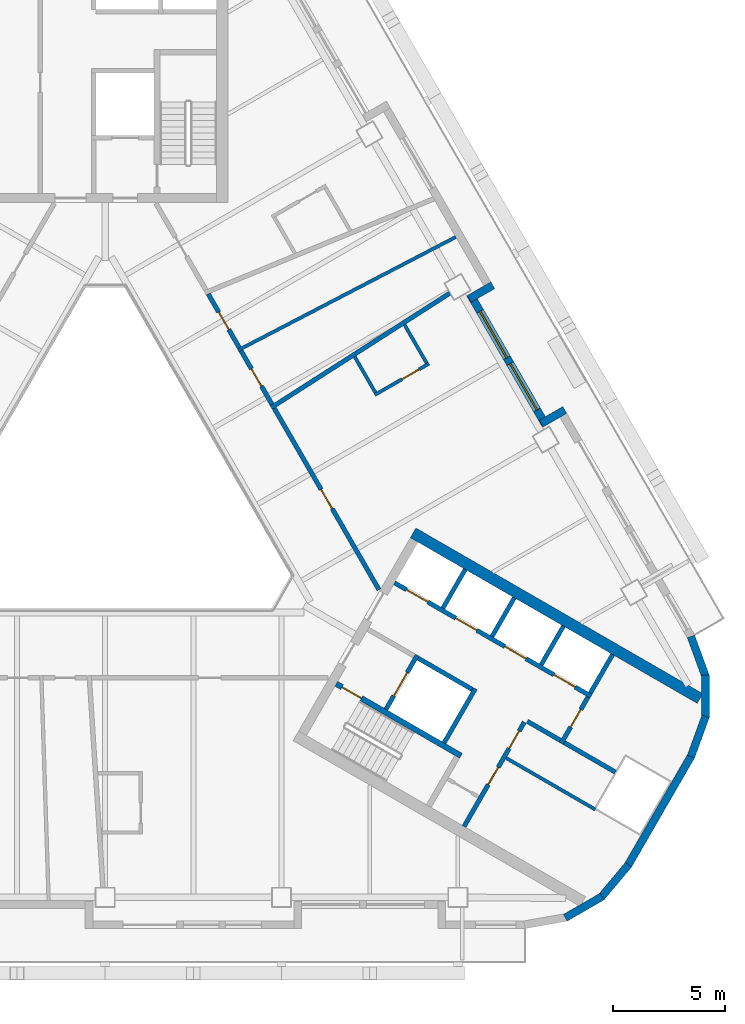
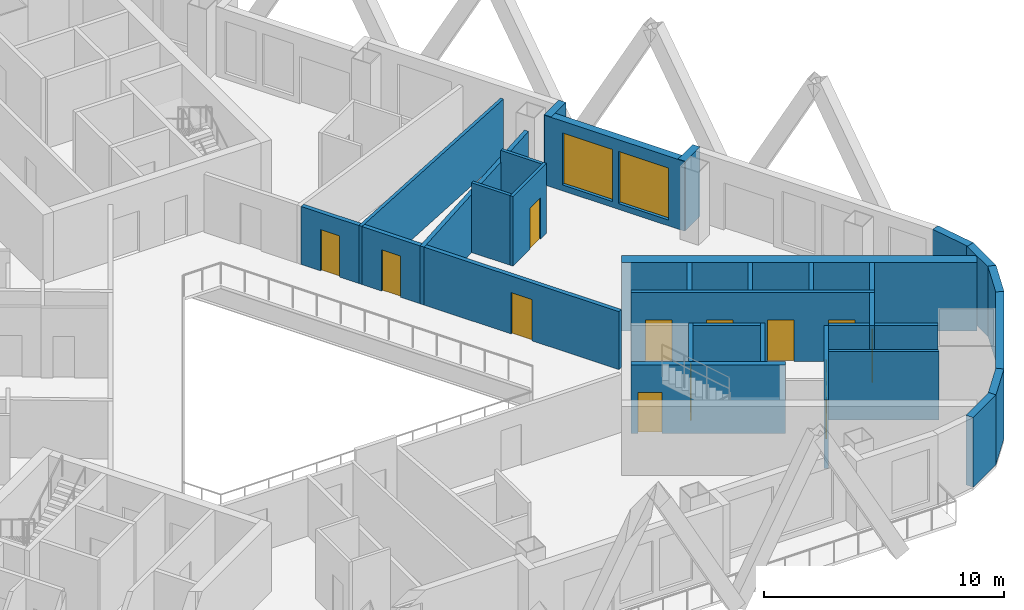
# One storey, part 5 of 13: 32 walls, 13 doors, 2 windows, 15 openings.
"""IFC4 building model written with IfcOpenShell, lengths in metres."""

from ifc_helpers import new_model, si_unit, direction, frame, frame_2d, origin, place, context, subcontext, project, spatial, rectangle, extrude, material, layer, layer_set, type_object, element, fill, save


model = new_model("IFC4")

# Units and contexts
model_context = context("Model", 3, precision=1e-05, world=origin(), true_north=direction((0.0, 1.0)))
body_context = subcontext(model_context, "Body", "Model", "MODEL_VIEW")
ifc_project = project(units=[si_unit("LENGTHUNIT", "METRE"), si_unit("AREAUNIT", "SQUARE_METRE"), si_unit("VOLUMEUNIT", "CUBIC_METRE"), si_unit("PLANEANGLEUNIT", "RADIAN"), si_unit("MASSUNIT", "GRAM", prefix="KILO")], contexts=[model_context])

# Site, building, storey
site_placement = place(None, origin())
site = spatial("IfcSite", under=ifc_project, at=site_placement, CompositionType="ELEMENT")
building_placement = place(site_placement, origin())
building = spatial("IfcBuilding", under=site, at=building_placement, Name="Apuvela Tower Hotel", CompositionType="ELEMENT")
storey_placement = place(building_placement, frame((0.0, 0.0, 105.699951171875)))
storey = spatial("IfcBuildingStorey", under=building, at=storey_placement, Name="L24", CompositionType="ELEMENT", Elevation=105.699951171875)

# Walls
ifc_material_1 = material(Name="Concrete C50/60", Category="concrete")
ifc_layer_1 = layer(ifc_material_1, 0.5)
ifc_layer_set_1 = layer_set([ifc_layer_1], Name="COR-WALL-CORE-500")
wall_type_1 = type_object("IfcWallType", Name="COR-WALL-CORE-500", PredefinedType="SHEAR", material=ifc_layer_set_1)
wall_1_placement = place(storey_placement, frame((13.796630859375, -1.9033203125, 0.0), z_axis=(0.0, 0.0, 1.0), x_axis=(0.866025009528, -0.500000682871, 0.0)))
element("IfcWall", 1, at=wall_1_placement, inside=storey, type_object=wall_type_1, Name="Core wall SE", PredefinedType="SHEAR", context=body_context, shape_type="SweptSolid", body=[
    extrude(rectangle(XDim=14.8369140625, YDim=0.5, at=frame_2d((7.41845703125, 0.0))), origin(), (0.0, 0.0, 1.0), 3.5),
])
ifc_material_2 = material(Name="Blockwork 150 mm plastered", Category="masonry")
ifc_layer_2 = layer(ifc_material_2, 0.14990234375)
ifc_layer_set_2 = layer_set([ifc_layer_2], Name="COR-WALL-PART-150")
wall_type_2 = type_object("IfcWallType", Name="COR-WALL-PART-150", PredefinedType="PARTITIONING", material=ifc_layer_set_2)
wall_2_placement = place(storey_placement, frame((17.962890625, -11.9873046875, 0.0), z_axis=(0.0, 0.0, 1.0), x_axis=(0.865998608524, -0.500046407882, 0.0)))
element("IfcWall", 2, at=wall_2_placement, inside=storey, type_object=wall_type_2, Name="Partition SE", PredefinedType="PARTITIONING", context=body_context, shape_type="SweptSolid", body=[
    extrude(rectangle(XDim=4.60986328125, YDim=0.14990234375, at=frame_2d((2.304931640625, 0.0))), origin(), (0.0, 0.0, 1.0), 3.5),
])

# Wall, openings, doors
ifc_material_3 = material(Name="Blockwork 200 mm plastered", Category="masonry")
ifc_layer_3 = layer(ifc_material_3, 0.199951171875)
ifc_layer_set_3 = layer_set([ifc_layer_3], Name="COR-WALL-PART-200")
wall_type_3 = type_object("IfcWallType", Name="COR-WALL-PART-200", PredefinedType="PARTITIONING", material=ifc_layer_set_3)
wall_3_placement = place(storey_placement, frame((16.076171875, -15.05517578125, 0.0), z_axis=(0.0, 0.0, 1.0), x_axis=(0.499995103361, 0.866028230842, 0.0)))
wall_3 = element("IfcWall", 3, at=wall_3_placement, inside=storey, type_object=wall_type_3, Name="Partition SE", PredefinedType="PARTITIONING", context=body_context, shape_type="SweptSolid", body=[
    extrude(rectangle(XDim=5.39990234375, YDim=0.199951171875, at=frame_2d((2.699951171875, 0.0))), origin(), (0.0, 0.0, 1.0), 3.5),
])
opening_1_placement = place(wall_3_placement, frame((2.16259765625, 0.0, 0.0)))
opening_1 = element("IfcOpeningElement", 4, at=opening_1_placement, cuts=wall_3, Name="Opening E-RS1", PredefinedType="OPENING", context=body_context, shape_type="SweptSolid", body=[
    extrude(rectangle(XDim=0.89990234375, YDim=2.10009765625, at=frame_2d((0.449951171875, 1.050048828125))), frame((0.0, 0.10986328125, 0.0), z_axis=(0.0, -1.0, 0.0), x_axis=(1.0, 0.0, 0.0)), (0.0, 0.0, 1.0), 0.219970703125),
])
opening_2_placement = place(wall_3_placement, frame((4.03759765625, 0.0, 0.0)))
opening_2 = element("IfcOpeningElement", 5, at=opening_2_placement, cuts=wall_3, Name="Opening E-RS2", PredefinedType="OPENING", context=body_context, shape_type="SweptSolid", body=[
    extrude(rectangle(XDim=0.89990234375, YDim=2.10009765625, at=frame_2d((0.449951171875, 1.050048828125))), frame((0.0, 0.10986328125, 0.0), z_axis=(0.0, -1.0, 0.0), x_axis=(1.0, 0.0, 0.0)), (0.0, 0.0, 1.0), 0.219970703125),
])
ifc_material_4 = material(Name="Steel fire door, powder coated", Category="steel")
door_type_1 = type_object("IfcDoorType", Name="COR-DR-900", OperationType="NOTDEFINED", PredefinedType="DOOR", material=ifc_material_4)
door_1_placement = place(opening_1_placement, frame((0.89990234375, 0.0, 0.0), z_axis=(0.0, 0.0, 1.0), x_axis=(-1.0, 0.0, 0.0)))
door_1 = element("IfcDoor", 6, at=door_1_placement, inside=storey, type_object=door_type_1, Name="Store door E-RS1", OperationType="SINGLE_SWING_LEFT", OverallHeight=2.10009765625, OverallWidth=0.89990234375, PredefinedType="DOOR", context=body_context, shape_type="SweptSolid", body=[
    extrude(rectangle(XDim=0.89990234375, YDim=2.10009765625, at=frame_2d((0.449951171875, 1.050048828125))), frame((0.0, 0.02490234375, 0.0), z_axis=(0.0, -1.0, 0.0), x_axis=(1.0, 0.0, 0.0)), (0.0, 0.0, 1.0), 0.050048828125),
])
fill(opening_1, door_1)
door_2_placement = place(opening_2_placement, frame((0.89990234375, 0.0, 0.0), z_axis=(0.0, 0.0, 1.0), x_axis=(-1.0, 0.0, 0.0)))
door_2 = element("IfcDoor", 7, at=door_2_placement, inside=storey, type_object=door_type_1, Name="Store door E-RS2", OperationType="SINGLE_SWING_LEFT", OverallHeight=2.10009765625, OverallWidth=0.89990234375, PredefinedType="DOOR", context=body_context, shape_type="SweptSolid", body=[
    extrude(rectangle(XDim=0.89990234375, YDim=2.10009765625, at=frame_2d((0.449951171875, 1.050048828125))), frame((0.0, 0.02490234375, 0.0), z_axis=(0.0, -1.0, 0.0), x_axis=(1.0, 0.0, 0.0)), (0.0, 0.0, 1.0), 0.050048828125),
])
fill(opening_2, door_2)

# Wall
ifc_layer_4 = layer(ifc_material_1, 0.199951171875)
ifc_layer_set_4 = layer_set([ifc_layer_4], Name="COR-WALL-SHAFT-200")
wall_type_4 = type_object("IfcWallType", Name="COR-WALL-SHAFT-200", PredefinedType="SHEAR", material=ifc_layer_set_4)
wall_4_placement = place(storey_placement, frame((15.181396484375, -11.305419921875, 0.0), z_axis=(0.0, 0.0, 1.0), x_axis=(0.49994636267, 0.866056369097, 0.0)))
element("IfcWall", 8, at=wall_4_placement, inside=storey, type_object=wall_type_4, Name="Shaft wall SE", PredefinedType="SHEAR", context=body_context, shape_type="SweptSolid", body=[
    extrude(rectangle(XDim=2.800048828125, YDim=0.199951171875, at=frame_2d((1.39990234375, 0.0))), origin(), (0.0, 0.0, 1.0), 3.5),
])

# Wall, opening, door
wall_5_placement = place(storey_placement, frame((12.583251953125, -9.805419921875, 0.0), z_axis=(0.0, 0.0, 1.0), x_axis=(0.49994636267, 0.866056369097, 0.0)))
wall_5 = element("IfcWall", 9, at=wall_5_placement, inside=storey, type_object=wall_type_4, Name="Shaft wall SE", PredefinedType="SHEAR", context=body_context, shape_type="SweptSolid", body=[
    extrude(rectangle(XDim=2.800048828125, YDim=0.199951171875, at=frame_2d((1.39990234375, 0.0))), origin(), (0.0, 0.0, 1.0), 3.5),
])
opening_3_placement = place(wall_5_placement, frame((0.699951171875, 0.0, 0.0)))
opening_3 = element("IfcOpeningElement", 10, at=opening_3_placement, cuts=wall_5, Name="Opening E-LD-FS3", PredefinedType="OPENING", context=body_context, shape_type="SweptSolid", body=[
    extrude(rectangle(XDim=1.199951171875, YDim=2.10009765625, at=frame_2d((0.60009765625, 1.050048828125))), frame((0.0, 0.10986328125, 0.0), z_axis=(0.0, -1.0, 0.0), x_axis=(1.0, 0.0, 0.0)), (0.0, 0.0, 1.0), 0.219970703125),
])
ifc_material_5 = material(Name="Stainless steel lift landing door", Category="steel")
door_type_2 = type_object("IfcDoorType", Name="COR-LD-1200", OperationType="DOUBLE_DOOR_SLIDING", PredefinedType="DOOR", material=ifc_material_5)
door_3_placement = place(opening_3_placement, origin())
door_3 = element("IfcDoor", 11, at=door_3_placement, inside=storey, type_object=door_type_2, Name="Lift landing door E-LD-FS3", OperationType="DOUBLE_DOOR_SLIDING", OverallHeight=2.10009765625, OverallWidth=1.199951171875, PredefinedType="DOOR", context=body_context, shape_type="SweptSolid", body=[
    extrude(rectangle(XDim=1.199951171875, YDim=2.10009765625, at=frame_2d((0.60009765625, 1.050048828125))), frame((0.0, 0.02490234375, 0.0), z_axis=(0.0, -1.0, 0.0), x_axis=(1.0, 0.0, 0.0)), (0.0, 0.0, 1.0), 0.050048828125),
])
fill(opening_3, door_3)

# Wall
wall_6_placement = place(storey_placement, frame((14.019775390625, -7.51708984375, 0.0), z_axis=(0.0, 0.0, 1.0), x_axis=(0.866034573852, -0.49998411664, 0.0)))
element("IfcWall", 12, at=wall_6_placement, inside=storey, type_object=wall_type_4, Name="Shaft wall SE", PredefinedType="SHEAR", context=body_context, shape_type="SweptSolid", body=[
    extrude(rectangle(XDim=2.7998046875, YDim=0.199951171875, at=frame_2d((1.39990234375, 0.0))), origin(), (0.0, 0.0, 1.0), 3.5),
])

# Wall, openings, doors
wall_7_placement = place(storey_placement, frame((12.968017578125, -4.138427734375, 0.0), z_axis=(0.0, 0.0, 1.0), x_axis=(0.866028328073, -0.49999493495, 0.0)))
wall_7 = element("IfcWall", 13, at=wall_7_placement, inside=storey, type_object=wall_type_4, Name="Shaft wall SE", PredefinedType="SHEAR", context=body_context, shape_type="SweptSolid", body=[
    extrude(rectangle(XDim=10.16015625, YDim=0.199951171875, at=frame_2d((5.080078125, 0.0))), origin(), (0.0, 0.0, 1.0), 3.5),
])
opening_4_placement = place(wall_7_placement, frame((0.6201171875, 0.0, 0.0)))
opening_4 = element("IfcOpeningElement", 14, at=opening_4_placement, cuts=wall_7, Name="Opening E-LD-LR1", PredefinedType="OPENING", context=body_context, shape_type="SweptSolid", body=[
    extrude(rectangle(XDim=1.10009765625, YDim=2.10009765625, at=frame_2d((0.550048828125, 1.050048828125))), frame((0.0, 0.10986328125, 0.0), z_axis=(0.0, -1.0, 0.0), x_axis=(1.0, 0.0, 0.0)), (0.0, 0.0, 1.0), 0.219970703125),
])
opening_5_placement = place(wall_7_placement, frame((3.159912109375, 0.0, 0.0)))
opening_5 = element("IfcOpeningElement", 15, at=opening_5_placement, cuts=wall_7, Name="Opening E-LD-LR2", PredefinedType="OPENING", context=body_context, shape_type="SweptSolid", body=[
    extrude(rectangle(XDim=1.10009765625, YDim=2.10009765625, at=frame_2d((0.550048828125, 1.050048828125))), frame((0.0, 0.10986328125, 0.0), z_axis=(0.0, -1.0, 0.0), x_axis=(1.0, 0.0, 0.0)), (0.0, 0.0, 1.0), 0.219970703125),
])
opening_6_placement = place(wall_7_placement, frame((5.699951171875, 0.0, 0.0)))
opening_6 = element("IfcOpeningElement", 16, at=opening_6_placement, cuts=wall_7, Name="Opening E-LD-LR3", PredefinedType="OPENING", context=body_context, shape_type="SweptSolid", body=[
    extrude(rectangle(XDim=1.10009765625, YDim=2.10009765625, at=frame_2d((0.550048828125, 1.050048828125))), frame((0.0, 0.10986328125, 0.0), z_axis=(0.0, -1.0, 0.0), x_axis=(1.0, 0.0, 0.0)), (0.0, 0.0, 1.0), 0.219970703125),
])
opening_7_placement = place(wall_7_placement, frame((8.239990234375, 0.0, 0.0)))
opening_7 = element("IfcOpeningElement", 17, at=opening_7_placement, cuts=wall_7, Name="Opening E-LD-LR4", PredefinedType="OPENING", context=body_context, shape_type="SweptSolid", body=[
    extrude(rectangle(XDim=1.10009765625, YDim=2.10009765625, at=frame_2d((0.550048828125, 1.050048828125))), frame((0.0, 0.10986328125, 0.0), z_axis=(0.0, -1.0, 0.0), x_axis=(1.0, 0.0, 0.0)), (0.0, 0.0, 1.0), 0.219970703125),
])
door_type_3 = type_object("IfcDoorType", Name="COR-LD-1100", OperationType="DOUBLE_DOOR_SLIDING", PredefinedType="DOOR", material=ifc_material_5)
door_4_placement = place(opening_4_placement, origin())
door_4 = element("IfcDoor", 18, at=door_4_placement, inside=storey, type_object=door_type_3, Name="Lift landing door E-LD-LR1", OperationType="DOUBLE_DOOR_SLIDING", OverallHeight=2.10009765625, OverallWidth=1.10009765625, PredefinedType="DOOR", context=body_context, shape_type="SweptSolid", body=[
    extrude(rectangle(XDim=1.10009765625, YDim=2.10009765625, at=frame_2d((0.550048828125, 1.050048828125))), frame((0.0, 0.02490234375, 0.0), z_axis=(0.0, -1.0, 0.0), x_axis=(1.0, 0.0, 0.0)), (0.0, 0.0, 1.0), 0.050048828125),
])
fill(opening_4, door_4)
door_5_placement = place(opening_5_placement, origin())
door_5 = element("IfcDoor", 19, at=door_5_placement, inside=storey, type_object=door_type_3, Name="Lift landing door E-LD-LR2", OperationType="DOUBLE_DOOR_SLIDING", OverallHeight=2.10009765625, OverallWidth=1.10009765625, PredefinedType="DOOR", context=body_context, shape_type="SweptSolid", body=[
    extrude(rectangle(XDim=1.10009765625, YDim=2.10009765625, at=frame_2d((0.550048828125, 1.050048828125))), frame((0.0, 0.02490234375, 0.0), z_axis=(0.0, -1.0, 0.0), x_axis=(1.0, 0.0, 0.0)), (0.0, 0.0, 1.0), 0.050048828125),
])
fill(opening_5, door_5)
door_6_placement = place(opening_6_placement, origin())
door_6 = element("IfcDoor", 20, at=door_6_placement, inside=storey, type_object=door_type_3, Name="Lift landing door E-LD-LR3", OperationType="DOUBLE_DOOR_SLIDING", OverallHeight=2.10009765625, OverallWidth=1.10009765625, PredefinedType="DOOR", context=body_context, shape_type="SweptSolid", body=[
    extrude(rectangle(XDim=1.10009765625, YDim=2.10009765625, at=frame_2d((0.550048828125, 1.050048828125))), frame((0.0, 0.02490234375, 0.0), z_axis=(0.0, -1.0, 0.0), x_axis=(1.0, 0.0, 0.0)), (0.0, 0.0, 1.0), 0.050048828125),
])
fill(opening_6, door_6)
door_7_placement = place(opening_7_placement, origin())
door_7 = element("IfcDoor", 21, at=door_7_placement, inside=storey, type_object=door_type_3, Name="Lift landing door E-LD-LR4", OperationType="DOUBLE_DOOR_SLIDING", OverallHeight=2.10009765625, OverallWidth=1.10009765625, PredefinedType="DOOR", context=body_context, shape_type="SweptSolid", body=[
    extrude(rectangle(XDim=1.10009765625, YDim=2.10009765625, at=frame_2d((0.550048828125, 1.050048828125))), frame((0.0, 0.02490234375, 0.0), z_axis=(0.0, -1.0, 0.0), x_axis=(1.0, 0.0, 0.0)), (0.0, 0.0, 1.0), 0.050048828125),
])
fill(opening_7, door_7)

# Wall, opening, door
wall_8_placement = place(storey_placement, frame((20.430419921875, -11.33349609375, 0.0), z_axis=(0.0, 0.0, 1.0), x_axis=(0.500001309137, 0.866024647952, 0.0)))
wall_8 = element("IfcWall", 22, at=wall_8_placement, inside=storey, type_object=wall_type_4, Name="Shaft wall SE", PredefinedType="SHEAR", context=body_context, shape_type="SweptSolid", body=[
    extrude(rectangle(XDim=2.39990234375, YDim=0.199951171875, at=frame_2d((1.199951171875, 0.0))), origin(), (0.0, 0.0, 1.0), 3.5),
])
opening_8_placement = place(wall_8_placement, frame((0.85009765625, 0.0, 0.0)))
opening_8 = element("IfcOpeningElement", 23, at=opening_8_placement, cuts=wall_8, Name="Opening E-REP", PredefinedType="OPENING", context=body_context, shape_type="SweptSolid", body=[
    extrude(rectangle(XDim=0.89990234375, YDim=2.10009765625, at=frame_2d((0.449951171875, 1.050048828125))), frame((0.0, 0.10986328125, 0.0), z_axis=(0.0, -1.0, 0.0), x_axis=(1.0, 0.0, 0.0)), (0.0, 0.0, 1.0), 0.219970703125),
])
door_8_placement = place(opening_8_placement, frame((0.89990234375, 0.0, 0.0), z_axis=(0.0, 0.0, 1.0), x_axis=(-1.0, 0.0, 0.0)))
door_8 = element("IfcDoor", 24, at=door_8_placement, inside=storey, type_object=door_type_1, Name="Store door E-REP", OperationType="SINGLE_SWING_RIGHT", OverallHeight=2.10009765625, OverallWidth=0.89990234375, PredefinedType="DOOR", context=body_context, shape_type="SweptSolid", body=[
    extrude(rectangle(XDim=0.89990234375, YDim=2.10009765625, at=frame_2d((0.449951171875, 1.050048828125))), frame((0.0, 0.02490234375, 0.0), z_axis=(0.0, -1.0, 0.0), x_axis=(1.0, 0.0, 0.0)), (0.0, 0.0, 1.0), 0.050048828125),
])
fill(opening_8, door_8)

# Walls
wall_9_placement = place(storey_placement, frame((18.912841796875, -10.342041015625, 0.0), z_axis=(0.0, 0.0, 1.0), x_axis=(0.866038183914, -0.499977863513, 0.0)))
element("IfcWall", 25, at=wall_9_placement, inside=storey, type_object=wall_type_4, Name="Shaft wall SE", PredefinedType="SHEAR", context=body_context, shape_type="SweptSolid", body=[
    extrude(rectangle(XDim=1.7099609375, YDim=0.199951171875, at=frame_2d((0.85498046875, 0.0))), origin(), (0.0, 0.0, 1.0), 3.5),
])
for number, where, z_axis, x_axis, name in (
    (26, (15.131103515625, -5.27197265625, 0.0), (0.0, 0.0, 1.0), (0.499972520799, 0.866041268327, 0.0), "Shaft wall SE"),
    (27, (17.330810546875, -6.5419921875, 0.0), (0.0, 0.0, 1.0), (0.499972520799, 0.866041268327, 0.0), "Shaft wall SE"),
    (28, (19.530517578125, -7.81201171875, 0.0), (0.0, 0.0, 1.0), (0.499972520799, 0.866041268327, 0.0), "Shaft wall SE"),
    (29, (21.73046875, -9.081787109375, 0.0), (0.0, 0.0, 1.0), (0.50002537861, 0.866010750942, 0.0), "Shaft wall SE"),
):
    element("IfcWall", number, at=place(storey_placement, frame(where, z_axis=z_axis, x_axis=x_axis)), inside=storey, type_object=wall_type_4, Name=name, PredefinedType="SHEAR", context=body_context, shape_type="SweptSolid", body=[
        extrude(rectangle(XDim=2.0, YDim=0.199951171875, at=frame_2d((1.0, 0.0))), origin(), (0.0, 0.0, 1.0), 3.5),
    ])
wall_10_placement = place(storey_placement, frame((20.56689453125, -11.297119140625, 0.0), z_axis=(0.0, 0.0, 1.0), x_axis=(0.866060851709, -0.499938597367, 0.0)))
element("IfcWall", 30, at=wall_10_placement, inside=storey, type_object=wall_type_4, Name="Shaft wall SE", PredefinedType="SHEAR", context=body_context, shape_type="SweptSolid", body=[
    extrude(rectangle(XDim=2.639892578125, YDim=0.199951171875, at=frame_2d((1.31982421875, 0.0))), origin(), (0.0, 0.0, 1.0), 3.5),
])

# Wall, opening, door
ifc_layer_5 = layer(ifc_material_1, 0.25)
ifc_layer_set_5 = layer_set([ifc_layer_5], Name="COR-WALL-STAIR-250")
wall_type_5 = type_object("IfcWallType", Name="COR-WALL-STAIR-250", PredefinedType="SHEAR", material=ifc_layer_set_5)
wall_11_placement = place(storey_placement, frame((10.355712890625, -8.66357421875, 0.0), z_axis=(0.0, 0.0, 1.0), x_axis=(0.866028629588, -0.499994412703, 0.0)))
wall_11 = element("IfcWall", 31, at=wall_11_placement, inside=storey, type_object=wall_type_5, Name="Stair wall SE", PredefinedType="SHEAR", context=body_context, shape_type="SweptSolid", body=[
    extrude(rectangle(XDim=6.44970703125, YDim=0.25, at=frame_2d((3.224853515625, 0.0))), origin(), (0.0, 0.0, 1.0), 3.5),
])
opening_9_placement = place(wall_11_placement, frame((0.300048828125, 0.0, 0.0)))
opening_9 = element("IfcOpeningElement", 32, at=opening_9_placement, cuts=wall_11, Name="Opening E-SD", PredefinedType="OPENING", context=body_context, shape_type="SweptSolid", body=[
    extrude(rectangle(XDim=1.0, YDim=2.10009765625, at=frame_2d((0.5, 1.050048828125))), frame((0.0, 0.135009765625, 0.0), z_axis=(0.0, -1.0, 0.0), x_axis=(1.0, 0.0, 0.0)), (0.0, 0.0, 1.0), 0.27001953125),
])
door_type_4 = type_object("IfcDoorType", Name="COR-SD-1000", OperationType="NOTDEFINED", PredefinedType="DOOR", material=ifc_material_4)
door_9_placement = place(opening_9_placement, frame((1.0, 0.0, 0.0), z_axis=(0.0, 0.0, 1.0), x_axis=(-1.0, 0.0, 0.0)))
door_9 = element("IfcDoor", 33, at=door_9_placement, inside=storey, type_object=door_type_4, Name="Stair door E-SD", OperationType="SINGLE_SWING_LEFT", OverallHeight=2.10009765625, OverallWidth=1.0, PredefinedType="DOOR", context=body_context, shape_type="SweptSolid", body=[
    extrude(rectangle(XDim=1.0, YDim=2.10009765625, at=frame_2d((0.5, 1.050048828125))), frame((0.0, 0.02490234375, 0.0), z_axis=(0.0, -1.0, 0.0), x_axis=(1.0, 0.0, 0.0)), (0.0, 0.0, 1.0), 0.050048828125),
])
fill(opening_9, door_9)

# Walls
ifc_material_6 = material(Name="Concrete C40/50, dark pigmented precast panel", Category="concrete")
ifc_layer_6 = layer(ifc_material_6, 0.35009765625)
ifc_layer_set_6 = layer_set([ifc_layer_6], Name="ENV-WALL-350")
wall_type_6 = type_object("IfcWallType", Name="ENV-WALL-350", PredefinedType="SOLIDWALL", material=ifc_layer_set_6)
for number, where, z_axis, x_axis, name in (
    (34, (20.609619140625, -19.146728515625, 0.0), (0.0, 0.0, 1.0), (0.866000389056, 0.500043324278, 0.0), "External wall L24-27"),
    (35, (22.21728515625, -18.230712890625, 0.0), (0.0, 0.0, 1.0), (0.642733291068, 0.76609001857, 0.0), "External wall L24-28"),
):
    element("IfcWall", number, at=place(storey_placement, frame(where, z_axis=z_axis, x_axis=x_axis)), inside=storey, type_object=wall_type_6, Name=name, PredefinedType="SOLIDWALL", context=body_context, shape_type="SweptSolid", body=[
        extrude(rectangle(XDim=1.909912109375, YDim=0.35009765625, at=frame_2d((0.955078125, 0.0))), origin(), (0.0, 0.0, 1.0), 3.550048828125),
    ])
wall_12_placement = place(storey_placement, frame((23.427490234375, -16.79248046875, 0.0), z_axis=(0.0, 0.0, 1.0), x_axis=(0.500018773155, 0.866014564827, 0.0)))
element("IfcWall", 36, at=wall_12_placement, inside=storey, type_object=wall_type_6, Name="External wall L24-29", PredefinedType="SOLIDWALL", context=body_context, shape_type="SweptSolid", body=[
    extrude(rectangle(XDim=5.657958984375, YDim=0.35009765625, at=frame_2d((2.8291015625, 0.0))), origin(), (0.0, 0.0, 1.0), 3.550048828125),
])
for number, where, z_axis, x_axis, name in (
    (37, (26.24365234375, -11.920166015625, 0.0), (0.0, 0.0, 1.0), (0.342030395486, 0.939688889242, 0.0), "External wall L24-30"),
    (38, (26.88623046875, -10.18505859375, 0.0), (0.0, 0.0, 1.0), (0.0, 1.0, 0.0), "External wall L24-31"),
    (39, (26.89697265625, -8.334716796875, 0.0), (0.0, 0.0, 1.0), (-0.342030395486, 0.939688889242, 0.0), "External wall L24-32"),
):
    element("IfcWall", number, at=place(storey_placement, frame(where, z_axis=z_axis, x_axis=x_axis)), inside=storey, type_object=wall_type_6, Name=name, PredefinedType="SOLIDWALL", context=body_context, shape_type="SweptSolid", body=[
        extrude(rectangle(XDim=1.91015625, YDim=0.35009765625, at=frame_2d((0.955078125, 0.0))), origin(), (0.0, 0.0, 1.0), 3.550048828125),
    ])
wall_13_placement = place(storey_placement, frame((20.587646484375, 3.601318359375, 0.0), z_axis=(0.0, 0.0, 1.0), x_axis=(-0.866005645448, -0.500034220881, 0.0)))
element("IfcWall", 40, at=wall_13_placement, inside=storey, type_object=wall_type_6, Name="External wall L24-34", PredefinedType="SOLIDWALL", context=body_context, shape_type="SweptSolid", body=[
    extrude(rectangle(XDim=1.22021484375, YDim=0.35009765625, at=frame_2d((0.610107421875, 0.0))), origin(), (0.0, 0.0, 1.0), 3.550048828125),
])

# Wall, openings, windows
wall_14_placement = place(storey_placement, frame((19.72900390625, 2.93798828125, 0.0), z_axis=(0.0, 0.0, 1.0), x_axis=(-0.499976430342, 0.866039011305, 0.0)))
wall_14 = element("IfcWall", 41, at=wall_14_placement, inside=storey, type_object=wall_type_6, Name="External wall L24-35", PredefinedType="SOLIDWALL", context=body_context, shape_type="SweptSolid", body=[
    extrude(rectangle(XDim=6.739990234375, YDim=0.35009765625, at=frame_2d((3.3701171875, 0.0))), origin(), (0.0, 0.0, 1.0), 3.550048828125),
])
opening_10_placement = place(wall_14_placement, frame((0.77001953125, 0.0, 0.300048828125)))
opening_10 = element("IfcOpeningElement", 42, at=opening_10_placement, cuts=wall_14, Name="Opening WN24", PredefinedType="OPENING", context=body_context, shape_type="SweptSolid", body=[
    extrude(rectangle(XDim=2.39990234375, YDim=2.64990234375, at=frame_2d((1.199951171875, 1.324951171875))), frame((0.0, 0.18505859375, 0.0), z_axis=(0.0, -1.0, 0.0), x_axis=(1.0, 0.0, 0.0)), (0.0, 0.0, 1.0), 0.3701171875),
])
opening_11_placement = place(wall_14_placement, frame((3.469970703125, 0.0, 0.300048828125)))
opening_11 = element("IfcOpeningElement", 43, at=opening_11_placement, cuts=wall_14, Name="Opening WN24", PredefinedType="OPENING", context=body_context, shape_type="SweptSolid", body=[
    extrude(rectangle(XDim=2.39990234375, YDim=2.64990234375, at=frame_2d((1.199951171875, 1.324951171875))), frame((0.0, 0.18505859375, 0.0), z_axis=(0.0, -1.0, 0.0), x_axis=(1.0, 0.0, 0.0)), (0.0, 0.0, 1.0), 0.3701171875),
])
ifc_material_7 = material(Name="Glass, dark tinted laminated insulated glazing unit", Category="glass")
window_type = type_object("IfcWindowType", Name="ENV-WIN-2400x2650", PartitioningType="SINGLE_PANEL", PredefinedType="WINDOW", material=ifc_material_7)
window_1_placement = place(opening_10_placement, origin())
window_1 = element("IfcWindow", 44, at=window_1_placement, inside=storey, type_object=window_type, Name="Window WN24", OverallHeight=2.64990234375, OverallWidth=2.39990234375, PartitioningType="SINGLE_PANEL", PredefinedType="WINDOW", context=body_context, shape_type="SweptSolid", body=[
    extrude(rectangle(XDim=2.39990234375, YDim=2.64990234375, at=frame_2d((1.199951171875, 1.324951171875))), frame((0.0, 0.030029296875, 0.0), z_axis=(0.0, -1.0, 0.0), x_axis=(1.0, 0.0, 0.0)), (0.0, 0.0, 1.0), 0.06005859375),
])
fill(opening_10, window_1)
window_2_placement = place(opening_11_placement, origin())
window_2 = element("IfcWindow", 45, at=window_2_placement, inside=storey, type_object=window_type, Name="Window WN24", OverallHeight=2.64990234375, OverallWidth=2.39990234375, PartitioningType="SINGLE_PANEL", PredefinedType="WINDOW", context=body_context, shape_type="SweptSolid", body=[
    extrude(rectangle(XDim=2.39990234375, YDim=2.64990234375, at=frame_2d((1.199951171875, 1.324951171875))), frame((0.0, 0.030029296875, 0.0), z_axis=(0.0, -1.0, 0.0), x_axis=(1.0, 0.0, 0.0)), (0.0, 0.0, 1.0), 0.06005859375),
])
fill(opening_11, window_2)

# Walls
wall_15_placement = place(storey_placement, frame((16.305908203125, 8.5771484375, 0.0), z_axis=(0.0, 0.0, 1.0), x_axis=(0.866092288191, 0.499884134912, 0.0)))
element("IfcWall", 46, at=wall_15_placement, inside=storey, type_object=wall_type_6, Name="External wall L24-36", PredefinedType="SOLIDWALL", context=body_context, shape_type="SweptSolid", body=[
    extrude(rectangle(XDim=1.219970703125, YDim=0.35009765625, at=frame_2d((0.60986328125, 0.0))), origin(), (0.0, 0.0, 1.0), 3.550048828125),
])
ifc_material_8 = material(Name="Gypsum board partition on twin steel stud", Category="steel")
ifc_layer_7 = layer(ifc_material_8, 0.199951171875)
ifc_layer_set_7 = layer_set([ifc_layer_7], Name="GST-PW1")
wall_type_7 = type_object("IfcWallType", Name="GST-PW1", PredefinedType="PARTITIONING", material=ifc_layer_set_7)
wall_16_placement = place(storey_placement, frame((15.4326171875, 8.82958984375, 0.0), z_axis=(0.0, 0.0, 1.0), x_axis=(-0.841935777146, -0.539577748949, 0.0)))
element("IfcWall", 47, at=wall_16_placement, inside=storey, type_object=wall_type_7, Name="L24 partition 03", PredefinedType="PARTITIONING", context=body_context, shape_type="SweptSolid", body=[
    extrude(rectangle(XDim=9.489990234375, YDim=0.199951171875, at=frame_2d((4.7451171875, 0.0))), origin(), (0.0, 0.0, 1.0), 2.949951171875),
])

# Wall, opening, door
ifc_material_9 = material(Name="Gypsum board corridor wall on twin steel stud, acoustic", Category="steel")
ifc_layer_8 = layer(ifc_material_9, 0.199951171875)
ifc_layer_set_8 = layer_set([ifc_layer_8], Name="GST-PW2")
wall_type_8 = type_object("IfcWallType", Name="GST-PW2", PredefinedType="PARTITIONING", material=ifc_layer_set_8)
wall_17_placement = place(storey_placement, frame((7.576904296875, 3.67626953125, 0.0), z_axis=(0.0, 0.0, 1.0), x_axis=(0.500017489778, -0.866015305821, 0.0)))
wall_17 = element("IfcWall", 48, at=wall_17_placement, inside=storey, type_object=wall_type_8, Name="L24 partition 18", PredefinedType="PARTITIONING", context=body_context, shape_type="SweptSolid", body=[
    extrude(rectangle(XDim=9.383544921875, YDim=0.199951171875, at=frame_2d((4.69189453125, 0.0))), origin(), (0.0, 0.0, 1.0), 2.949951171875),
])
opening_12_placement = place(wall_17_placement, frame((4.191650390625, 0.0, 0.0)))
opening_12 = element("IfcOpeningElement", 49, at=opening_12_placement, cuts=wall_17, Name="Opening GD08-08", PredefinedType="OPENING", context=body_context, shape_type="SweptSolid", body=[
    extrude(rectangle(XDim=1.0, YDim=2.10009765625, at=frame_2d((0.5, 1.050048828125))), frame((0.0, 0.10986328125, 0.0), z_axis=(0.0, -1.0, 0.0), x_axis=(1.0, 0.0, 0.0)), (0.0, 0.0, 1.0), 0.219970703125),
])
ifc_material_10 = material(Name="Timber door leaf in steel frame", Category="steel")
door_type_5 = type_object("IfcDoorType", Name="GST-D1", OperationType="NOTDEFINED", PredefinedType="DOOR", material=ifc_material_10)
door_10_placement = place(opening_12_placement, origin())
door_10 = element("IfcDoor", 50, at=door_10_placement, inside=storey, type_object=door_type_5, Name="Door L24-08", OperationType="SINGLE_SWING_LEFT", OverallHeight=2.10009765625, OverallWidth=1.0, PredefinedType="DOOR", context=body_context, shape_type="SweptSolid", body=[
    extrude(rectangle(XDim=1.0, YDim=2.10009765625, at=frame_2d((0.5, 1.050048828125))), frame((0.0, 0.02490234375, 0.0), z_axis=(0.0, -1.0, 0.0), x_axis=(1.0, 0.0, 0.0)), (0.0, 0.0, 1.0), 0.050048828125),
])
fill(opening_12, door_10)

wall_18_placement = place(storey_placement, frame((6.0849609375, 6.260498046875, 0.0), z_axis=(0.0, 0.0, 1.0), x_axis=(0.499978037009, -0.866038083752, 0.0)))
wall_18 = element("IfcWall", 51, at=wall_18_placement, inside=storey, type_object=wall_type_8, Name="L24 partition 23", PredefinedType="PARTITIONING", context=body_context, shape_type="SweptSolid", body=[
    extrude(rectangle(XDim=2.783935546875, YDim=0.199951171875, at=frame_2d((1.39208984375, 0.0))), origin(), (0.0, 0.0, 1.0), 2.949951171875),
])
opening_13_placement = place(wall_18_placement, frame((0.94189453125, 0.0, 0.0)))
opening_13 = element("IfcOpeningElement", 52, at=opening_13_placement, cuts=wall_18, Name="Opening GD08-09", PredefinedType="OPENING", context=body_context, shape_type="SweptSolid", body=[
    extrude(rectangle(XDim=0.89990234375, YDim=2.10009765625, at=frame_2d((0.449951171875, 1.050048828125))), frame((0.0, 0.10986328125, 0.0), z_axis=(0.0, -1.0, 0.0), x_axis=(1.0, 0.0, 0.0)), (0.0, 0.0, 1.0), 0.219970703125),
])
door_type_6 = type_object("IfcDoorType", Name="GST-D2", OperationType="NOTDEFINED", PredefinedType="DOOR", material=ifc_material_10)
door_11_placement = place(opening_13_placement, origin())
door_11 = element("IfcDoor", 53, at=door_11_placement, inside=storey, type_object=door_type_6, Name="Door L24-09", OperationType="SINGLE_SWING_LEFT", OverallHeight=2.10009765625, OverallWidth=0.89990234375, PredefinedType="DOOR", context=body_context, shape_type="SweptSolid", body=[
    extrude(rectangle(XDim=0.89990234375, YDim=2.10009765625, at=frame_2d((0.449951171875, 1.050048828125))), frame((0.0, 0.02490234375, 0.0), z_axis=(0.0, -1.0, 0.0), x_axis=(1.0, 0.0, 0.0)), (0.0, 0.0, 1.0), 0.050048828125),
])
fill(opening_13, door_11)

wall_19_placement = place(storey_placement, frame((4.618408203125, 8.80078125, 0.0), z_axis=(0.0, 0.0, 1.0), x_axis=(0.499988210251, -0.866032210492, 0.0)))
wall_19 = element("IfcWall", 54, at=wall_19_placement, inside=storey, type_object=wall_type_8, Name="L24 partition 24", PredefinedType="PARTITIONING", context=body_context, shape_type="SweptSolid", body=[
    extrude(rectangle(XDim=2.783203125, YDim=0.199951171875, at=frame_2d((1.3916015625, 0.0))), origin(), (0.0, 0.0, 1.0), 2.949951171875),
])
opening_14_placement = place(wall_19_placement, frame((0.941650390625, 0.0, 0.0)))
opening_14 = element("IfcOpeningElement", 55, at=opening_14_placement, cuts=wall_19, Name="Opening GD08-10", PredefinedType="OPENING", context=body_context, shape_type="SweptSolid", body=[
    extrude(rectangle(XDim=0.89990234375, YDim=2.10009765625, at=frame_2d((0.449951171875, 1.050048828125))), frame((0.0, 0.10986328125, 0.0), z_axis=(0.0, -1.0, 0.0), x_axis=(1.0, 0.0, 0.0)), (0.0, 0.0, 1.0), 0.219970703125),
])
door_12_placement = place(opening_14_placement, origin())
door_12 = element("IfcDoor", 56, at=door_12_placement, inside=storey, type_object=door_type_6, Name="Door L24-10", OperationType="SINGLE_SWING_RIGHT", OverallHeight=2.10009765625, OverallWidth=0.89990234375, PredefinedType="DOOR", context=body_context, shape_type="SweptSolid", body=[
    extrude(rectangle(XDim=0.89990234375, YDim=2.10009765625, at=frame_2d((0.449951171875, 1.050048828125))), frame((0.0, 0.02490234375, 0.0), z_axis=(0.0, -1.0, 0.0), x_axis=(1.0, 0.0, 0.0)), (0.0, 0.0, 1.0), 0.050048828125),
])
fill(opening_14, door_12)

ifc_material_11 = material(Name="Moisture-resistant gypsum board wet wall on steel stud", Category="steel")
ifc_layer_9 = layer(ifc_material_11, 0.14990234375)
ifc_layer_set_9 = layer_set([ifc_layer_9], Name="GST-PW3")
wall_type_9 = type_object("IfcWallType", Name="GST-PW3", PredefinedType="PARTITIONING", material=ifc_layer_set_9)
wall_20_placement = place(storey_placement, frame((12.079345703125, 4.27783203125, 0.0), z_axis=(0.0, 0.0, 1.0), x_axis=(0.866018616679, 0.500011755427, 0.0)))
wall_20 = element("IfcWall", 57, at=wall_20_placement, inside=storey, type_object=wall_type_9, Name="L24 partition 19", PredefinedType="PARTITIONING", context=body_context, shape_type="SweptSolid", body=[
    extrude(rectangle(XDim=2.80029296875, YDim=0.14990234375, at=frame_2d((1.400146484375, 0.0))), origin(), (0.0, 0.0, 1.0), 3.550048828125),
])
opening_15_placement = place(wall_20_placement, frame((1.39990234375, 0.0, 0.0)))
opening_15 = element("IfcOpeningElement", 58, at=opening_15_placement, cuts=wall_20, Name="Opening GD08-07", PredefinedType="OPENING", context=body_context, shape_type="SweptSolid", body=[
    extrude(rectangle(XDim=0.89990234375, YDim=2.10009765625, at=frame_2d((0.449951171875, 1.050048828125))), frame((0.0, 0.0849609375, 0.0), z_axis=(0.0, -1.0, 0.0), x_axis=(1.0, 0.0, 0.0)), (0.0, 0.0, 1.0), 0.169921875),
])
door_13_placement = place(opening_15_placement, origin())
door_13 = element("IfcDoor", 59, at=door_13_placement, inside=storey, type_object=door_type_6, Name="Door L24-07", OperationType="SINGLE_SWING_RIGHT", OverallHeight=2.10009765625, OverallWidth=0.89990234375, PredefinedType="DOOR", context=body_context, shape_type="SweptSolid", body=[
    extrude(rectangle(XDim=0.89990234375, YDim=2.10009765625, at=frame_2d((0.449951171875, 1.050048828125))), frame((0.0, 0.02490234375, 0.0), z_axis=(0.0, -1.0, 0.0), x_axis=(1.0, 0.0, 0.0)), (0.0, 0.0, 1.0), 0.050048828125),
])
fill(opening_15, door_13)

# Walls
wall_21_placement = place(storey_placement, frame((14.40185546875, 5.705322265625, 0.0), z_axis=(0.0, 0.0, 1.0), x_axis=(-0.500018274647, 0.866014852655, 0.0)))
element("IfcWall", 60, at=wall_21_placement, inside=storey, type_object=wall_type_9, Name="L24 partition 20", PredefinedType="PARTITIONING", context=body_context, shape_type="SweptSolid", body=[
    extrude(rectangle(XDim=1.9765625, YDim=0.14990234375, at=frame_2d((0.98828125, 0.0))), origin(), (0.0, 0.0, 1.0), 3.550048828125),
])
wall_22_placement = place(storey_placement, frame((12.106689453125, 4.38037109375, 0.0), z_axis=(0.0, 0.0, 1.0), x_axis=(-0.499893495202, 0.866086885627, 0.0)))
element("IfcWall", 61, at=wall_22_placement, inside=storey, type_object=wall_type_9, Name="L24 partition 21", PredefinedType="PARTITIONING", context=body_context, shape_type="SweptSolid", body=[
    extrude(rectangle(XDim=1.853515625, YDim=0.14990234375, at=frame_2d((0.9267578125, 0.0))), origin(), (0.0, 0.0, 1.0), 3.550048828125),
])
wall_23_placement = place(storey_placement, frame((15.70947265625, 11.350341796875, 0.0), z_axis=(0.0, 0.0, 1.0), x_axis=(-0.887196797294, -0.461391203721, 0.0)))
element("IfcWall", 62, at=wall_23_placement, inside=storey, type_object=wall_type_9, Name="L24 partition 22", PredefinedType="PARTITIONING", context=body_context, shape_type="SweptSolid", body=[
    extrude(rectangle(XDim=10.99072265625, YDim=0.14990234375, at=frame_2d((5.495361328125, 0.0))), origin(), (0.0, 0.0, 1.0), 2.9599609375),
])

save(model, "model.ifc")
